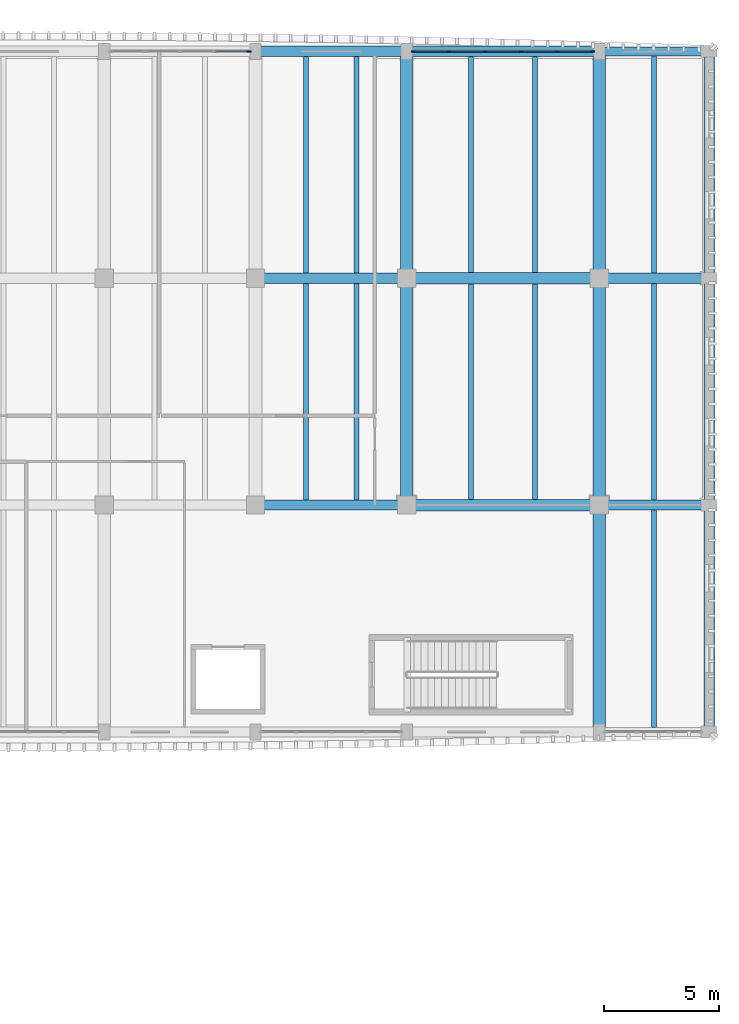
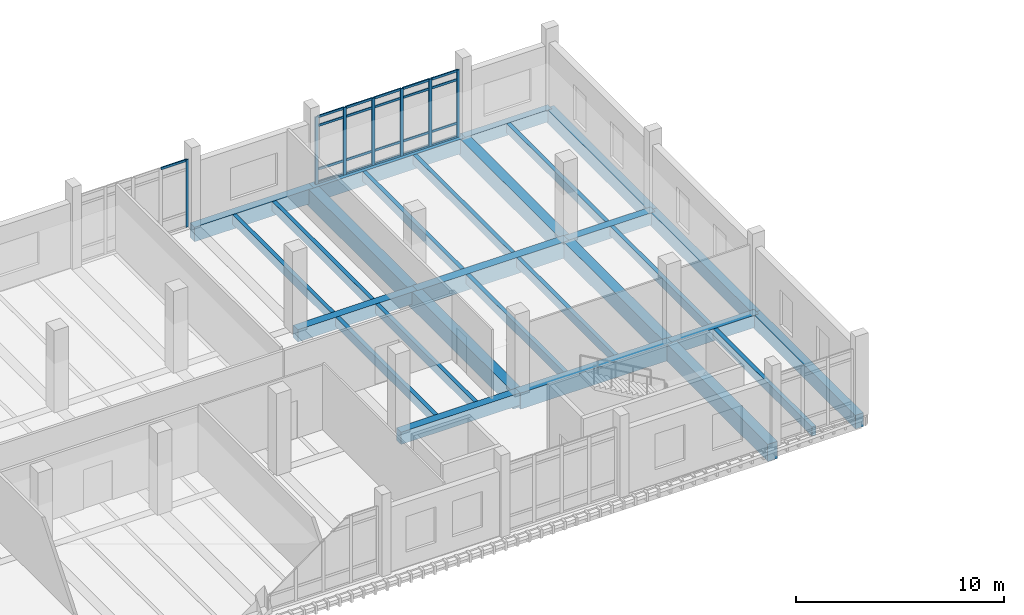
# One storey, part 45 of 101: 28 beams, 28 members, 2 elements without a shape of their own.
"""IFC4 building model written with IfcOpenShell, lengths in metres."""

import ifcopenshell
import ifcopenshell.guid

model = None  # the IFC model being written
_history = None  # IfcOwnerHistory: only IFC2X3 demands one
_inside = {}  # id of a spatial element -> (the spatial element, [elements in it])
_under = {}  # id of a project, library or spatial element -> (it, [spatial elements below it])
_declared = {}  # id of a project -> (the project, [libraries it declares])
_typed = {}  # id of a type object -> (the type object, [elements of that type])
_made_of = {}  # id of a material, layer set ... -> (it, [elements and type objects made of it])


def new_model(schema):
    """Start an empty IFC model of exactly this schema.

    Asked for "IFC4X3", IfcOpenShell would pick the latest addendum, in which some entities
    have other attributes; the version numbers below select the first issue.
    IFC2X3 requires an IfcOwnerHistory on every rooted entity: one is made here for all.
    """
    global model, _history
    if schema == "IFC4X3":
        model = ifcopenshell.file(schema_version=(4, 3, 0, 0))
    else:
        model = ifcopenshell.file(schema=schema)
    _inside.clear()
    _under.clear()
    _declared.clear()
    _typed.clear()
    _made_of.clear()
    _history = None
    if model.schema == "IFC2X3":
        org = make("IfcOrganization", Name="unknown")
        user = make(
            "IfcPersonAndOrganization",
            ThePerson=make("IfcPerson", FamilyName="unknown"),
            TheOrganization=org,
        )
        app = make(
            "IfcApplication",
            ApplicationDeveloper=org,
            Version="unknown",
            ApplicationFullName="unknown",
            ApplicationIdentifier="unknown",
        )
        _history = make(
            "IfcOwnerHistory",
            OwningUser=user,
            OwningApplication=app,
            ChangeAction="ADDED",
            CreationDate=0,
        )
    return model


def make(cls, **values):
    """One entity of the class cls with the attributes given. An attribute that is None is left unset."""
    return model.create_entity(
        cls, **{name: value for name, value in values.items() if value is not None}
    )


def rooted(cls, **values):
    """An entity with a GlobalId (a new one), such as an element, a storey or a relation."""
    return make(cls, GlobalId=ifcopenshell.guid.new(), OwnerHistory=_history, **values)


def si_unit(unit_type, name, prefix=None):
    """IfcSIUnit, for example si_unit("LENGTHUNIT", "METRE", prefix="MILLI")."""
    return make("IfcSIUnit", UnitType=unit_type, Prefix=prefix, Name=name)


def assignment(units):
    """IfcUnitAssignment: the units of a project."""
    return None if units is None else make("IfcUnitAssignment", Units=units)


def point(xyz):
    """IfcCartesianPoint."""
    return None if xyz is None else make("IfcCartesianPoint", Coordinates=xyz)


def direction(xyz):
    """IfcDirection."""
    return None if xyz is None else make("IfcDirection", DirectionRatios=xyz)


def frame(location, z_axis=None, x_axis=None):
    """IfcAxis2Placement3D, a coordinate frame: its origin and axes. An axis left out is left unset."""
    return make(
        "IfcAxis2Placement3D",
        Location=point(location),
        Axis=direction(z_axis),
        RefDirection=direction(x_axis),
    )


def frame_2d(location, x_axis=None):
    """IfcAxis2Placement2D, a coordinate frame in the plane: its origin and x axis."""
    return make(
        "IfcAxis2Placement2D", Location=point(location), RefDirection=direction(x_axis)
    )


def origin():
    """The frame at (0, 0, 0) with its axes left unset."""
    return frame((0.0, 0.0, 0.0))


def origin_2d():
    """The frame at (0, 0) in the plane with its x axis left unset."""
    return frame_2d((0.0, 0.0))


def place(relative_to, where):
    """IfcLocalPlacement: puts the frame where relative to a parent placement (None: the world)."""
    return make(
        "IfcLocalPlacement", PlacementRelTo=relative_to, RelativePlacement=where
    )


def context(
    kind, dimensions, precision=None, world=None, true_north=None, identifier=None
):
    """IfcGeometricRepresentationContext, for example the 3D "Model" context."""
    return make(
        "IfcGeometricRepresentationContext",
        ContextIdentifier=identifier,
        ContextType=kind,
        CoordinateSpaceDimension=dimensions,
        Precision=precision,
        WorldCoordinateSystem=world,
        TrueNorth=true_north,
    )


def subcontext(parent, identifier, kind, view, scale=None):
    """IfcGeometricRepresentationSubContext, for example "Body" below "Model"."""
    return make(
        "IfcGeometricRepresentationSubContext",
        ContextIdentifier=identifier,
        ContextType=kind,
        ParentContext=parent,
        TargetScale=scale,
        TargetView=view,
    )


def project(units=None, contexts=None):
    """IfcProject with its units and contexts."""
    return rooted(
        "IfcProject",
        Name="project",
        RepresentationContexts=contexts,
        UnitsInContext=assignment(units),
    )


def spatial(cls, under=None, at=None, **own):
    """A site, building, storey or space (cls), placed at a placement, below another one or the project."""
    s = rooted(cls, ObjectPlacement=at, **own)
    if under is not None:
        _under.setdefault(under.id(), (under, []))[1].append(s)
    return s


def profile(cls, at=None, kind="AREA", **sizes):
    """A parametric profile (cls). Its sizes go by their IFC names, for example OverallWidth=200.0."""
    return make(cls, ProfileType=kind, Position=at, **sizes)


def rectangle(**sizes):
    """IfcRectangleProfileDef."""
    return profile("IfcRectangleProfileDef", **sizes)


def extrude(swept, where, along, depth):
    """IfcExtrudedAreaSolid: the profile swept, set in the frame where, extruded along a direction by depth."""
    return make(
        "IfcExtrudedAreaSolid",
        SweptArea=swept,
        Position=where,
        ExtrudedDirection=direction(along),
        Depth=depth,
    )


def shape(context_of_items, identifier, shape_type, items):
    """IfcShapeRepresentation: the items that make up one representation, for example the "Body"."""
    return make(
        "IfcShapeRepresentation",
        ContextOfItems=context_of_items,
        RepresentationIdentifier=identifier,
        RepresentationType=shape_type,
        Items=items,
    )


def material(Name=None, Category=None):
    """IfcMaterial."""
    return make("IfcMaterial", Name=Name, Category=Category)


def material_profile(
    of_material, cross_section, Name=None, Category=None, Priority=None
):
    """IfcMaterialProfile: a cross section and its material."""
    return make(
        "IfcMaterialProfile",
        Name=Name,
        Material=of_material,
        Profile=cross_section,
        Priority=Priority,
        Category=Category,
    )


def profile_set(profiles, Name=None, composite=None):
    """IfcMaterialProfileSet."""
    return make(
        "IfcMaterialProfileSet",
        Name=Name,
        MaterialProfiles=profiles,
        CompositeProfile=composite,
    )


def made_of(thing, what):
    """Note that an element or type object is made of a material, layer set ...; save() writes the relation."""
    if what is not None:
        _made_of.setdefault(what.id(), (what, []))[1].append(thing)
    return thing


def type_object(cls, material=None, **own):
    """A type object (cls), such as IfcWallType, which elements share."""
    return made_of(rooted(cls, **own), material)


def element(
    cls,
    number,
    at=None,
    inside=None,
    cuts=None,
    type_object=None,
    material=None,
    context=None,
    identifier="Body",
    shape_type=None,
    held_by="IfcProductDefinitionShape",
    body=None,
    shapes=None,
    **own,
):
    """One element of the class cls, such as IfcWall. Its Tag is "e" and its number.

    at: its placement. inside: the storey or other place that contains it. cuts: it is an
    opening in that element (IfcRelVoidsElement). A single representation is given by context,
    identifier, shape_type and body (its items); several are given by shapes. held_by: the class
    of the entity that holds the representations. save() writes the other relations.
    """
    e = rooted(cls, Tag="e%d" % number, ObjectPlacement=at, **own)
    if body is not None:
        shapes = [shape(context, identifier, shape_type, body)]
    if shapes is not None:
        e.Representation = make(held_by, Representations=shapes)
    if inside is not None:
        _inside.setdefault(inside.id(), (inside, []))[1].append(e)
    if cuts is not None:
        rooted(
            "IfcRelVoidsElement", RelatingBuildingElement=cuts, RelatedOpeningElement=e
        )
    if type_object is not None:
        _typed.setdefault(type_object.id(), (type_object, []))[1].append(e)
    return made_of(e, material)


def aggregate(whole, parts):
    """IfcRelAggregates: a whole, such as a stair, and the parts it consists of."""
    return rooted("IfcRelAggregates", RelatingObject=whole, RelatedObjects=parts)


def save(model, path):
    """Write the relations noted so far, then the file.

    IfcRelAggregates (storeys below a building ...), IfcRelContainedInSpatialStructure (elements
    in a storey), IfcRelDefinesByType, IfcRelAssociatesMaterial and IfcRelDeclares: one each for
    every whole, place, type object, material and project.
    """
    for whole, parts in _under.values():
        aggregate(whole, parts)
    for where, things in _inside.values():
        rooted(
            "IfcRelContainedInSpatialStructure",
            RelatedElements=things,
            RelatingStructure=where,
        )
    for kind, things in _typed.values():
        rooted("IfcRelDefinesByType", RelatedObjects=things, RelatingType=kind)
    for what, things in _made_of.values():
        rooted("IfcRelAssociatesMaterial", RelatedObjects=things, RelatingMaterial=what)
    for by, libraries in _declared.values():
        rooted("IfcRelDeclares", RelatingContext=by, RelatedDefinitions=libraries)
    model.write(path)


model = new_model("IFC4")

# Units and contexts
model_context = context("Model", 3, precision=1e-05, world=origin(), true_north=direction((0.0, 1.0)))
body_context = subcontext(model_context, "Body", "Model", "MODEL_VIEW")
ifc_project = project(units=[si_unit("LENGTHUNIT", "METRE"), si_unit("AREAUNIT", "SQUARE_METRE"), si_unit("VOLUMEUNIT", "CUBIC_METRE"), si_unit("PLANEANGLEUNIT", "RADIAN"), si_unit("MASSUNIT", "GRAM", prefix="KILO")], contexts=[model_context])

# Site, building, storey
site_placement = place(None, origin())
site = spatial("IfcSite", under=ifc_project, at=site_placement, CompositionType="ELEMENT")
building_placement = place(site_placement, origin())
building = spatial("IfcBuilding", under=site, at=building_placement, Name="Dornvale Research Institute", CompositionType="ELEMENT")
storey_placement = place(building_placement, frame((0.0, 0.0, 10.199951171875)))
storey = spatial("IfcBuildingStorey", under=building, at=storey_placement, Name="L02", CompositionType="ELEMENT", Elevation=10.199951171875)

# Beams
ifc_material_1 = material(Name="Concrete f'c 45 MPa (C35/45)", Category="concrete")
ifc_material_profile_1 = material_profile(ifc_material_1, rectangle(XDim=0.449951171875, YDim=0.715087890625, at=origin_2d()), Name="RC 450x715")
ifc_profile_set_1 = profile_set([ifc_material_profile_1], Name="Concrete f'c 45 MPa (C35/45)")
beam_type_1 = type_object("IfcBeamType", Name="Beam_RC450x715_Lab", PredefinedType="BEAM", material=ifc_profile_set_1)
beam_1_placement = place(storey_placement, frame((158.39990234375, 102.300048828125, -0.357421875), z_axis=(1.0, 0.0, 0.0), x_axis=(0.0, 1.0, 0.0)))
element("IfcBeam", 1, at=beam_1_placement, inside=storey, type_object=beam_type_1, Name="L02 primary girder #650", PredefinedType="BEAM", context=body_context, shape_type="SweptSolid", body=[
    extrude(rectangle(XDim=0.449951171875, YDim=0.715087890625, at=origin_2d()), origin(), (0.0, 0.0, 1.0), 6.60009765625),
])
beam_2_placement = place(storey_placement, frame((173.39990234375, 102.300048828125, -0.357421875), z_axis=(1.0, 0.0, 0.0), x_axis=(0.0, 1.0, 0.0)))
element("IfcBeam", 2, at=beam_2_placement, inside=storey, type_object=beam_type_1, Name="L02 primary girder #652", PredefinedType="BEAM", context=body_context, shape_type="SweptSolid", body=[
    extrude(rectangle(XDim=0.449951171875, YDim=0.715087890625, at=origin_2d()), origin(), (0.0, 0.0, 1.0), 4.800048828125),
])
beam_3_placement = place(storey_placement, frame((158.39990234375, 112.199951171875, -0.357421875), z_axis=(1.0, 0.0, 0.0), x_axis=(0.0, 1.0, 0.0)))
element("IfcBeam", 3, at=beam_3_placement, inside=storey, type_object=beam_type_1, Name="L02 primary girder #659", PredefinedType="BEAM", context=body_context, shape_type="SweptSolid", body=[
    extrude(rectangle(XDim=0.449951171875, YDim=0.715087890625, at=origin_2d()), origin(), (0.0, 0.0, 1.0), 6.60009765625),
])
beam_4_placement = place(storey_placement, frame((173.39990234375, 112.199951171875, -0.357421875), z_axis=(1.0, 0.0, 0.0), x_axis=(0.0, 1.0, 0.0)))
element("IfcBeam", 4, at=beam_4_placement, inside=storey, type_object=beam_type_1, Name="L02 primary girder #661", PredefinedType="BEAM", context=body_context, shape_type="SweptSolid", body=[
    extrude(rectangle(XDim=0.449951171875, YDim=0.715087890625, at=origin_2d()), origin(), (0.0, 0.0, 1.0), 4.800048828125),
])
ifc_material_2 = material(Name="Concrete f'c 45 MPa (C35/45)", Category="concrete")
ifc_material_profile_2 = material_profile(ifc_material_2, rectangle(XDim=0.5, YDim=0.949951171875, at=origin_2d()), Name="RC 500x950")
ifc_profile_set_2 = profile_set([ifc_material_profile_2], Name="Concrete f'c 45 MPa (C35/45)")
beam_type_2 = type_object("IfcBeamType", Name="Beam_RC500x950_Girder", PredefinedType="BEAM", material=ifc_profile_set_2)
for number, where, z_axis, x_axis, name in (
    (5, (165.0, 102.300048828125, -0.474853515625), (1.0, 0.0, 0.0), (0.0, 1.0, 0.0), "L02 primary girder #651"),
    (6, (165.0, 112.199951171875, -0.474853515625), (1.0, 0.0, 0.0), (0.0, 1.0, 0.0), "L02 primary girder #660"),
):
    element("IfcBeam", number, at=place(storey_placement, frame(where, z_axis=z_axis, x_axis=x_axis)), inside=storey, type_object=beam_type_2, Name=name, PredefinedType="BEAM", context=body_context, shape_type="SweptSolid", body=[
        extrude(rectangle(XDim=0.5, YDim=0.949951171875, at=origin_2d()), origin(), (0.0, 0.0, 1.0), 8.39990234375),
    ])
ifc_material_3 = material(Name="Concrete f'c 45 MPa (C35/45)", Category="concrete")
ifc_material_profile_3 = material_profile(ifc_material_3, rectangle(XDim=0.550048828125, YDim=1.0, at=origin_2d()), Name="RC 550x1000")
ifc_profile_set_3 = profile_set([ifc_material_profile_3], Name="Concrete f'c 45 MPa (C35/45)")
beam_type_3 = type_object("IfcBeamType", Name="Beam_RC550x1000_Girder", PredefinedType="BEAM", material=ifc_profile_set_3)
beam_5_placement = place(storey_placement, frame((165.0, 102.300048828125, -0.5), z_axis=(0.0, 1.0, 0.0), x_axis=(-1.0, 0.0, 0.0)))
element("IfcBeam", 7, at=beam_5_placement, inside=storey, type_object=beam_type_3, Name="L02 transverse girder #690", PredefinedType="BEAM", context=body_context, shape_type="SweptSolid", body=[
    extrude(rectangle(XDim=0.550048828125, YDim=1.0, at=origin_2d()), origin(), (0.0, 0.0, 1.0), 9.89990234375),
])
for number, where, z_axis, x_axis, name in (
    (8, (165.0, 112.199951171875, -0.5), (0.0, 1.0, 0.0), (-1.0, 0.0, 0.0), "L02 transverse girder #691"),
    (9, (173.39990234375, 92.39990234375, -0.5), (0.0, 1.0, 0.0), (-1.0, 0.0, 0.0), "L02 transverse girder #692"),
):
    element("IfcBeam", number, at=place(storey_placement, frame(where, z_axis=z_axis, x_axis=x_axis)), inside=storey, type_object=beam_type_3, Name=name, PredefinedType="BEAM", context=body_context, shape_type="SweptSolid", body=[
        extrude(rectangle(XDim=0.550048828125, YDim=1.0, at=origin_2d()), origin(), (0.0, 0.0, 1.0), 9.900146484375),
    ])
beam_6_placement = place(storey_placement, frame((173.39990234375, 102.300048828125, -0.5), z_axis=(0.0, 1.0, 0.0), x_axis=(-1.0, 0.0, 0.0)))
element("IfcBeam", 10, at=beam_6_placement, inside=storey, type_object=beam_type_3, Name="L02 transverse girder #693", PredefinedType="BEAM", context=body_context, shape_type="SweptSolid", body=[
    extrude(rectangle(XDim=0.550048828125, YDim=1.0, at=origin_2d()), origin(), (0.0, 0.0, 1.0), 9.89990234375),
])
beam_7_placement = place(storey_placement, frame((173.39990234375, 112.199951171875, -0.5), z_axis=(0.0, 1.0, 0.0), x_axis=(-1.0, 0.0, 0.0)))
element("IfcBeam", 11, at=beam_7_placement, inside=storey, type_object=beam_type_3, Name="L02 transverse girder #694", PredefinedType="BEAM", context=body_context, shape_type="SweptSolid", body=[
    extrude(rectangle(XDim=0.550048828125, YDim=1.0, at=origin_2d()), origin(), (0.0, 0.0, 1.0), 9.900146484375),
])
ifc_material_4 = material(Name="Concrete f'c 45 MPa (C35/45)", Category="concrete")
ifc_material_profile_4 = material_profile(ifc_material_4, rectangle(XDim=0.219970703125, YDim=0.534912109375, at=origin_2d()), Name="RC 220x535")
ifc_profile_set_4 = profile_set([ifc_material_profile_4], Name="Concrete f'c 45 MPa (C35/45)")
beam_type_4 = type_object("IfcBeamType", Name="Joist_RC220x535_Waffle", PredefinedType="JOIST", material=ifc_profile_set_4)
for number, where, z_axis, x_axis, name in (
    (12, (160.60009765625, 102.52490234375, -0.267333984375), (0.0, 1.0, 0.0), (-1.0, 0.0, 0.0), "L02 laboratory waffle joist #342"),
    (13, (162.800048828125, 102.52490234375, -0.267333984375), (0.0, 1.0, 0.0), (-1.0, 0.0, 0.0), "L02 laboratory waffle joist #343"),
):
    element("IfcBeam", number, at=place(storey_placement, frame(where, z_axis=z_axis, x_axis=x_axis)), inside=storey, type_object=beam_type_4, Name=name, PredefinedType="JOIST", context=body_context, shape_type="SweptSolid", body=[
        extrude(rectangle(XDim=0.219970703125, YDim=0.534912109375, at=origin_2d()), origin(), (0.0, 0.0, 1.0), 9.4501953125),
    ])
for number, where, z_axis, x_axis, name in (
    (14, (160.60009765625, 112.425048828125, -0.267333984375), (0.0, 1.0, 0.0), (-1.0, 0.0, 0.0), "L02 laboratory waffle joist #344"),
    (15, (162.800048828125, 112.425048828125, -0.267333984375), (0.0, 1.0, 0.0), (-1.0, 0.0, 0.0), "L02 laboratory waffle joist #345"),
):
    element("IfcBeam", number, at=place(storey_placement, frame(where, z_axis=z_axis, x_axis=x_axis)), inside=storey, type_object=beam_type_4, Name=name, PredefinedType="JOIST", context=body_context, shape_type="SweptSolid", body=[
        extrude(rectangle(XDim=0.219970703125, YDim=0.534912109375, at=origin_2d()), origin(), (0.0, 0.0, 1.0), 9.449951171875),
    ])
for number, where, z_axis, x_axis, name in (
    (16, (167.800048828125, 102.550048828125, -0.267333984375), (0.0, 1.0, 0.0), (-1.0, 0.0, 0.0), "L02 laboratory waffle joist #346"),
    (17, (170.60009765625, 102.550048828125, -0.267333984375), (0.0, 1.0, 0.0), (-1.0, 0.0, 0.0), "L02 laboratory waffle joist #347"),
):
    element("IfcBeam", number, at=place(storey_placement, frame(where, z_axis=z_axis, x_axis=x_axis)), inside=storey, type_object=beam_type_4, Name=name, PredefinedType="JOIST", context=body_context, shape_type="SweptSolid", body=[
        extrude(rectangle(XDim=0.219970703125, YDim=0.534912109375, at=origin_2d()), origin(), (0.0, 0.0, 1.0), 9.39990234375),
    ])
for number, where, z_axis, x_axis, name in (
    (18, (167.800048828125, 112.449951171875, -0.267333984375), (0.0, 1.0, 0.0), (-1.0, 0.0, 0.0), "L02 laboratory waffle joist #348"),
    (19, (170.60009765625, 112.449951171875, -0.267333984375), (0.0, 1.0, 0.0), (-1.0, 0.0, 0.0), "L02 laboratory waffle joist #349"),
):
    element("IfcBeam", number, at=place(storey_placement, frame(where, z_axis=z_axis, x_axis=x_axis)), inside=storey, type_object=beam_type_4, Name=name, PredefinedType="JOIST", context=body_context, shape_type="SweptSolid", body=[
        extrude(rectangle(XDim=0.219970703125, YDim=0.534912109375, at=origin_2d()), origin(), (0.0, 0.0, 1.0), 9.425048828125),
    ])
beam_8_placement = place(storey_placement, frame((175.800048828125, 92.60009765625, -0.267333984375), z_axis=(0.0, 1.0, 0.0), x_axis=(-1.0, 0.0, 0.0)))
element("IfcBeam", 20, at=beam_8_placement, inside=storey, type_object=beam_type_4, Name="L02 laboratory waffle joist #350", PredefinedType="JOIST", context=body_context, shape_type="SweptSolid", body=[
    extrude(rectangle(XDim=0.219970703125, YDim=0.534912109375, at=origin_2d()), origin(), (0.0, 0.0, 1.0), 9.474853515625),
])
beam_9_placement = place(storey_placement, frame((175.800048828125, 102.52490234375, -0.267333984375), z_axis=(0.0, 1.0, 0.0), x_axis=(-1.0, 0.0, 0.0)))
element("IfcBeam", 21, at=beam_9_placement, inside=storey, type_object=beam_type_4, Name="L02 laboratory waffle joist #351", PredefinedType="JOIST", context=body_context, shape_type="SweptSolid", body=[
    extrude(rectangle(XDim=0.219970703125, YDim=0.534912109375, at=origin_2d()), origin(), (0.0, 0.0, 1.0), 9.4501953125),
])
beam_10_placement = place(storey_placement, frame((175.800048828125, 112.425048828125, -0.267333984375), z_axis=(0.0, 1.0, 0.0), x_axis=(-1.0, 0.0, 0.0)))
element("IfcBeam", 22, at=beam_10_placement, inside=storey, type_object=beam_type_4, Name="L02 laboratory waffle joist #352", PredefinedType="JOIST", context=body_context, shape_type="SweptSolid", body=[
    extrude(rectangle(XDim=0.219970703125, YDim=0.534912109375, at=origin_2d()), origin(), (0.0, 0.0, 1.0), 9.474853515625),
])

# Curtain wall, member
ifc_material_5 = material(Name="Low-E Argon Double Insulating Glazing Unit", Category="glass")
curtain_wall_type_1 = type_object("IfcCurtainWallType", Name="UnitisedCurtainWall_V4_6100x3950", PredefinedType="USERDEFINED", material=ifc_material_5)
curtain_wall_1_placement = place(storey_placement, origin())
curtain_wall_1 = element("IfcCurtainWall", 23, at=curtain_wall_1_placement, inside=storey, type_object=curtain_wall_type_1, Name="L02 V4 unitised curtain wall CW-11 #84", ObjectType="UNITISED CURTAIN WALL", PredefinedType="USERDEFINED")
ifc_material_6 = material(Name="Anodized Aluminum AA 6063-T6 Thermally Broken Frame", Category="aluminium")
ifc_material_profile_5 = material_profile(ifc_material_6, rectangle(XDim=0.06494140625, YDim=0.179931640625, at=origin_2d()), Name="ALU MULLION 65x180")
ifc_profile_set_5 = profile_set([ifc_material_profile_5], Name="Anodized Aluminum AA 6063-T6 Thermally Broken Frame")
member_type_1 = type_object("IfcMemberType", Name="Mullion_CW_65x180", PredefinedType="MULLION", material=ifc_profile_set_5)
member_1_placement = place(storey_placement, frame((158.117431640625, 122.10009765625, 0.0), z_axis=(0.0, 0.0, 1.0), x_axis=(0.0, 1.0, 0.0)))
member_1 = element("IfcMember", 24, at=member_1_placement, type_object=member_type_1, Name="CW-11 mullion 5", PredefinedType="MULLION", context=body_context, shape_type="SweptSolid", body=[
    extrude(rectangle(XDim=0.06494140625, YDim=0.179931640625, at=origin_2d()), origin(), (0.0, 0.0, 1.0), 3.949951171875),
])

# Curtain wall, members
ifc_material_7 = material(Name="Low-E Argon Double Insulating Glazing Unit", Category="glass")
curtain_wall_type_2 = type_object("IfcCurtainWallType", Name="UnitisedCurtainWall_V4_7900x3950", PredefinedType="USERDEFINED", material=ifc_material_7)
curtain_wall_2_placement = place(storey_placement, origin())
curtain_wall_2 = element("IfcCurtainWall", 25, at=curtain_wall_2_placement, inside=storey, type_object=curtain_wall_type_2, Name="L02 V4 unitised curtain wall CW-12 #85", ObjectType="UNITISED CURTAIN WALL", PredefinedType="USERDEFINED")
member_2_placement = place(storey_placement, frame((165.282470703125, 122.10009765625, 0.0), z_axis=(0.0, 0.0, 1.0), x_axis=(0.0, 1.0, 0.0)))
member_2 = element("IfcMember", 26, at=member_2_placement, type_object=member_type_1, Name="CW-12 mullion 1", PredefinedType="MULLION", context=body_context, shape_type="SweptSolid", body=[
    extrude(rectangle(XDim=0.06494140625, YDim=0.179931640625, at=origin_2d()), origin(), (0.0, 0.0, 1.0), 3.949951171875),
])
member_3_placement = place(storey_placement, frame((166.830078125, 122.10009765625, 0.0), z_axis=(0.0, 0.0, 1.0), x_axis=(0.0, 1.0, 0.0)))
member_3 = element("IfcMember", 27, at=member_3_placement, type_object=member_type_1, Name="CW-12 mullion 2", PredefinedType="MULLION", context=body_context, shape_type="SweptSolid", body=[
    extrude(rectangle(XDim=0.06494140625, YDim=0.179931640625, at=origin_2d()), origin(), (0.0, 0.0, 1.0), 3.949951171875),
])
member_4_placement = place(storey_placement, frame((168.409912109375, 122.10009765625, 0.0), z_axis=(0.0, 0.0, 1.0), x_axis=(0.0, 1.0, 0.0)))
member_4 = element("IfcMember", 28, at=member_4_placement, type_object=member_type_1, Name="CW-12 mullion 3", PredefinedType="MULLION", context=body_context, shape_type="SweptSolid", body=[
    extrude(rectangle(XDim=0.06494140625, YDim=0.179931640625, at=origin_2d()), origin(), (0.0, 0.0, 1.0), 3.949951171875),
])
member_5_placement = place(storey_placement, frame((169.989990234375, 122.10009765625, 0.0), z_axis=(0.0, 0.0, 1.0), x_axis=(0.0, 1.0, 0.0)))
member_5 = element("IfcMember", 29, at=member_5_placement, type_object=member_type_1, Name="CW-12 mullion 4", PredefinedType="MULLION", context=body_context, shape_type="SweptSolid", body=[
    extrude(rectangle(XDim=0.06494140625, YDim=0.179931640625, at=origin_2d()), origin(), (0.0, 0.0, 1.0), 3.949951171875),
])
member_6_placement = place(storey_placement, frame((171.570068359375, 122.10009765625, 0.0), z_axis=(0.0, 0.0, 1.0), x_axis=(0.0, 1.0, 0.0)))
member_6 = element("IfcMember", 30, at=member_6_placement, type_object=member_type_1, Name="CW-12 mullion 5", PredefinedType="MULLION", context=body_context, shape_type="SweptSolid", body=[
    extrude(rectangle(XDim=0.06494140625, YDim=0.179931640625, at=origin_2d()), origin(), (0.0, 0.0, 1.0), 3.949951171875),
])
member_7_placement = place(storey_placement, frame((173.117431640625, 122.10009765625, 0.0), z_axis=(0.0, 0.0, 1.0), x_axis=(0.0, 1.0, 0.0)))
member_7 = element("IfcMember", 31, at=member_7_placement, type_object=member_type_1, Name="CW-12 mullion 6", PredefinedType="MULLION", context=body_context, shape_type="SweptSolid", body=[
    extrude(rectangle(XDim=0.06494140625, YDim=0.179931640625, at=origin_2d()), origin(), (0.0, 0.0, 1.0), 3.949951171875),
])

# Beams
ifc_material_8 = material(Name="Concrete f'c 45 MPa (C35/45)", Category="concrete")
ifc_material_profile_6 = material_profile(ifc_material_8, rectangle(XDim=0.39990234375, YDim=0.699951171875, at=origin_2d()), Name="RC 400x700")
ifc_profile_set_6 = profile_set([ifc_material_profile_6], Name="Concrete f'c 45 MPa (C35/45)")
beam_type_5 = type_object("IfcBeamType", Name="Spandrel_RC400x700_Ext", PredefinedType="SPANDREL", material=ifc_profile_set_6)
beam_11_placement = place(storey_placement, frame((173.39990234375, 122.10009765625, -0.349853515625), z_axis=(1.0, 0.0, 0.0), x_axis=(0.0, 1.0, 0.0)))
element("IfcBeam", 32, at=beam_11_placement, inside=storey, type_object=beam_type_5, Name="L02 perimeter spandrel #670", PredefinedType="SPANDREL", context=body_context, shape_type="SweptSolid", body=[
    extrude(rectangle(XDim=0.39990234375, YDim=0.699951171875, at=origin_2d()), origin(), (0.0, 0.0, 1.0), 4.800048828125),
])
ifc_material_9 = material(Name="Concrete f'c 45 MPa (C35/45)", Category="concrete")
ifc_material_profile_7 = material_profile(ifc_material_9, rectangle(XDim=0.449951171875, YDim=0.800048828125, at=origin_2d()), Name="RC 450x800")
ifc_profile_set_7 = profile_set([ifc_material_profile_7], Name="Concrete f'c 45 MPa (C35/45)")
beam_type_6 = type_object("IfcBeamType", Name="Spandrel_RC450x800_Ext", PredefinedType="SPANDREL", material=ifc_profile_set_7)
beam_12_placement = place(storey_placement, frame((178.199951171875, 92.39990234375, -0.39990234375), z_axis=(0.0, 1.0, 0.0), x_axis=(-1.0, 0.0, 0.0)))
element("IfcBeam", 33, at=beam_12_placement, inside=storey, type_object=beam_type_6, Name="L02 perimeter spandrel #695", PredefinedType="SPANDREL", context=body_context, shape_type="SweptSolid", body=[
    extrude(rectangle(XDim=0.449951171875, YDim=0.800048828125, at=origin_2d()), origin(), (0.0, 0.0, 1.0), 9.900146484375),
])
beam_13_placement = place(storey_placement, frame((178.199951171875, 102.300048828125, -0.39990234375), z_axis=(0.0, 1.0, 0.0), x_axis=(-1.0, 0.0, 0.0)))
element("IfcBeam", 34, at=beam_13_placement, inside=storey, type_object=beam_type_6, Name="L02 perimeter spandrel #696", PredefinedType="SPANDREL", context=body_context, shape_type="SweptSolid", body=[
    extrude(rectangle(XDim=0.449951171875, YDim=0.800048828125, at=origin_2d()), origin(), (0.0, 0.0, 1.0), 9.89990234375),
])
beam_14_placement = place(storey_placement, frame((178.199951171875, 112.199951171875, -0.39990234375), z_axis=(0.0, 1.0, 0.0), x_axis=(-1.0, 0.0, 0.0)))
element("IfcBeam", 35, at=beam_14_placement, inside=storey, type_object=beam_type_6, Name="L02 perimeter spandrel #697", PredefinedType="SPANDREL", context=body_context, shape_type="SweptSolid", body=[
    extrude(rectangle(XDim=0.449951171875, YDim=0.800048828125, at=origin_2d()), origin(), (0.0, 0.0, 1.0), 9.900146484375),
])
ifc_material_10 = material(Name="Concrete f'c 45 MPa (C35/45)", Category="concrete")
ifc_material_profile_8 = material_profile(ifc_material_10, rectangle(XDim=0.449951171875, YDim=0.85009765625, at=origin_2d()), Name="RC 450x850")
ifc_profile_set_8 = profile_set([ifc_material_profile_8], Name="Concrete f'c 45 MPa (C35/45)")
beam_type_7 = type_object("IfcBeamType", Name="Spandrel_RC450x850_Ext", PredefinedType="SPANDREL", material=ifc_profile_set_8)
beam_15_placement = place(storey_placement, frame((158.39990234375, 122.10009765625, -0.425048828125), z_axis=(1.0, 0.0, 0.0), x_axis=(0.0, 1.0, 0.0)))
element("IfcBeam", 36, at=beam_15_placement, inside=storey, type_object=beam_type_7, Name="L02 perimeter spandrel #668", PredefinedType="SPANDREL", context=body_context, shape_type="SweptSolid", body=[
    extrude(rectangle(XDim=0.449951171875, YDim=0.85009765625, at=origin_2d()), origin(), (0.0, 0.0, 1.0), 6.60009765625),
])
beam_16_placement = place(storey_placement, frame((165.0, 122.10009765625, -0.425048828125), z_axis=(1.0, 0.0, 0.0), x_axis=(0.0, 1.0, 0.0)))
element("IfcBeam", 37, at=beam_16_placement, inside=storey, type_object=beam_type_7, Name="L02 perimeter spandrel #669", PredefinedType="SPANDREL", context=body_context, shape_type="SweptSolid", body=[
    extrude(rectangle(XDim=0.449951171875, YDim=0.85009765625, at=origin_2d()), origin(), (0.0, 0.0, 1.0), 8.39990234375),
])

# Member
ifc_material_11 = material(Name="Anodized Aluminum AA 6063-T6 Thermally Broken Frame", Category="aluminium")
ifc_material_profile_9 = material_profile(ifc_material_11, rectangle(XDim=0.06494140625, YDim=0.135009765625, at=origin_2d()), Name="ALU TRANSOM 65x135")
ifc_profile_set_9 = profile_set([ifc_material_profile_9], Name="Anodized Aluminum AA 6063-T6 Thermally Broken Frame")
member_type_2 = type_object("IfcMemberType", Name="Transom_CW_65x135", PredefinedType="USERDEFINED", material=ifc_profile_set_9)
member_8_placement = place(storey_placement, frame((156.657470703125, 122.10009765625, 3.91748046875), z_axis=(1.0, 0.0, 0.0), x_axis=(0.0, 1.0, 0.0)))
member_8 = element("IfcMember", 38, at=member_8_placement, type_object=member_type_2, Name="CW-11 transom 4.4", ObjectType="TRANSOM", PredefinedType="USERDEFINED", context=body_context, shape_type="SweptSolid", body=[
    extrude(rectangle(XDim=0.06494140625, YDim=0.135009765625, at=origin_2d()), origin(), (0.0, 0.0, 1.0), 1.427490234375),
])

aggregate(curtain_wall_1, [member_1, member_8])

member_9_placement = place(storey_placement, frame((165.31494140625, 122.10009765625, 0.032470703125), z_axis=(1.0, 0.0, 0.0), x_axis=(0.0, 1.0, 0.0)))
member_9 = element("IfcMember", 39, at=member_9_placement, type_object=member_type_2, Name="CW-12 transom 1.1", ObjectType="TRANSOM", PredefinedType="USERDEFINED", context=body_context, shape_type="SweptSolid", body=[
    extrude(rectangle(XDim=0.06494140625, YDim=0.135009765625, at=origin_2d()), origin(), (0.0, 0.0, 1.0), 1.482666015625),
])

member_10_placement = place(storey_placement, frame((165.31494140625, 122.10009765625, 0.85009765625), z_axis=(1.0, 0.0, 0.0), x_axis=(0.0, 1.0, 0.0)))
member_10 = element("IfcMember", 40, at=member_10_placement, type_object=member_type_2, Name="CW-12 transom 1.2", ObjectType="TRANSOM", PredefinedType="USERDEFINED", context=body_context, shape_type="SweptSolid", body=[
    extrude(rectangle(XDim=0.06494140625, YDim=0.135009765625, at=origin_2d()), origin(), (0.0, 0.0, 1.0), 1.482666015625),
])

member_11_placement = place(storey_placement, frame((165.31494140625, 122.10009765625, 3.400146484375), z_axis=(1.0, 0.0, 0.0), x_axis=(0.0, 1.0, 0.0)))
member_11 = element("IfcMember", 41, at=member_11_placement, type_object=member_type_2, Name="CW-12 transom 1.3", ObjectType="TRANSOM", PredefinedType="USERDEFINED", context=body_context, shape_type="SweptSolid", body=[
    extrude(rectangle(XDim=0.06494140625, YDim=0.135009765625, at=origin_2d()), origin(), (0.0, 0.0, 1.0), 1.482666015625),
])

member_12_placement = place(storey_placement, frame((165.31494140625, 122.10009765625, 3.91748046875), z_axis=(1.0, 0.0, 0.0), x_axis=(0.0, 1.0, 0.0)))
member_12 = element("IfcMember", 42, at=member_12_placement, type_object=member_type_2, Name="CW-12 transom 1.4", ObjectType="TRANSOM", PredefinedType="USERDEFINED", context=body_context, shape_type="SweptSolid", body=[
    extrude(rectangle(XDim=0.06494140625, YDim=0.135009765625, at=origin_2d()), origin(), (0.0, 0.0, 1.0), 1.482666015625),
])

member_13_placement = place(storey_placement, frame((166.862548828125, 122.10009765625, 0.032470703125), z_axis=(1.0, 0.0, 0.0), x_axis=(0.0, 1.0, 0.0)))
member_13 = element("IfcMember", 43, at=member_13_placement, type_object=member_type_2, Name="CW-12 transom 2.1", ObjectType="TRANSOM", PredefinedType="USERDEFINED", context=body_context, shape_type="SweptSolid", body=[
    extrude(rectangle(XDim=0.06494140625, YDim=0.135009765625, at=origin_2d()), origin(), (0.0, 0.0, 1.0), 1.514892578125),
])

member_14_placement = place(storey_placement, frame((166.862548828125, 122.10009765625, 0.85009765625), z_axis=(1.0, 0.0, 0.0), x_axis=(0.0, 1.0, 0.0)))
member_14 = element("IfcMember", 44, at=member_14_placement, type_object=member_type_2, Name="CW-12 transom 2.2", ObjectType="TRANSOM", PredefinedType="USERDEFINED", context=body_context, shape_type="SweptSolid", body=[
    extrude(rectangle(XDim=0.06494140625, YDim=0.135009765625, at=origin_2d()), origin(), (0.0, 0.0, 1.0), 1.514892578125),
])

member_15_placement = place(storey_placement, frame((166.862548828125, 122.10009765625, 3.400146484375), z_axis=(1.0, 0.0, 0.0), x_axis=(0.0, 1.0, 0.0)))
member_15 = element("IfcMember", 45, at=member_15_placement, type_object=member_type_2, Name="CW-12 transom 2.3", ObjectType="TRANSOM", PredefinedType="USERDEFINED", context=body_context, shape_type="SweptSolid", body=[
    extrude(rectangle(XDim=0.06494140625, YDim=0.135009765625, at=origin_2d()), origin(), (0.0, 0.0, 1.0), 1.514892578125),
])

member_16_placement = place(storey_placement, frame((166.862548828125, 122.10009765625, 3.91748046875), z_axis=(1.0, 0.0, 0.0), x_axis=(0.0, 1.0, 0.0)))
member_16 = element("IfcMember", 46, at=member_16_placement, type_object=member_type_2, Name="CW-12 transom 2.4", ObjectType="TRANSOM", PredefinedType="USERDEFINED", context=body_context, shape_type="SweptSolid", body=[
    extrude(rectangle(XDim=0.06494140625, YDim=0.135009765625, at=origin_2d()), origin(), (0.0, 0.0, 1.0), 1.514892578125),
])

member_17_placement = place(storey_placement, frame((168.4423828125, 122.10009765625, 0.032470703125), z_axis=(1.0, 0.0, 0.0), x_axis=(0.0, 1.0, 0.0)))
member_17 = element("IfcMember", 47, at=member_17_placement, type_object=member_type_2, Name="CW-12 transom 3.1", ObjectType="TRANSOM", PredefinedType="USERDEFINED", context=body_context, shape_type="SweptSolid", body=[
    extrude(rectangle(XDim=0.06494140625, YDim=0.135009765625, at=origin_2d()), origin(), (0.0, 0.0, 1.0), 1.51513671875),
])

member_18_placement = place(storey_placement, frame((168.4423828125, 122.10009765625, 0.85009765625), z_axis=(1.0, 0.0, 0.0), x_axis=(0.0, 1.0, 0.0)))
member_18 = element("IfcMember", 48, at=member_18_placement, type_object=member_type_2, Name="CW-12 transom 3.2", ObjectType="TRANSOM", PredefinedType="USERDEFINED", context=body_context, shape_type="SweptSolid", body=[
    extrude(rectangle(XDim=0.06494140625, YDim=0.135009765625, at=origin_2d()), origin(), (0.0, 0.0, 1.0), 1.51513671875),
])

member_19_placement = place(storey_placement, frame((168.4423828125, 122.10009765625, 3.400146484375), z_axis=(1.0, 0.0, 0.0), x_axis=(0.0, 1.0, 0.0)))
member_19 = element("IfcMember", 49, at=member_19_placement, type_object=member_type_2, Name="CW-12 transom 3.3", ObjectType="TRANSOM", PredefinedType="USERDEFINED", context=body_context, shape_type="SweptSolid", body=[
    extrude(rectangle(XDim=0.06494140625, YDim=0.135009765625, at=origin_2d()), origin(), (0.0, 0.0, 1.0), 1.51513671875),
])

member_20_placement = place(storey_placement, frame((168.4423828125, 122.10009765625, 3.91748046875), z_axis=(1.0, 0.0, 0.0), x_axis=(0.0, 1.0, 0.0)))
member_20 = element("IfcMember", 50, at=member_20_placement, type_object=member_type_2, Name="CW-12 transom 3.4", ObjectType="TRANSOM", PredefinedType="USERDEFINED", context=body_context, shape_type="SweptSolid", body=[
    extrude(rectangle(XDim=0.06494140625, YDim=0.135009765625, at=origin_2d()), origin(), (0.0, 0.0, 1.0), 1.51513671875),
])

member_21_placement = place(storey_placement, frame((170.0224609375, 122.10009765625, 0.032470703125), z_axis=(1.0, 0.0, 0.0), x_axis=(0.0, 1.0, 0.0)))
member_21 = element("IfcMember", 51, at=member_21_placement, type_object=member_type_2, Name="CW-12 transom 4.1", ObjectType="TRANSOM", PredefinedType="USERDEFINED", context=body_context, shape_type="SweptSolid", body=[
    extrude(rectangle(XDim=0.06494140625, YDim=0.135009765625, at=origin_2d()), origin(), (0.0, 0.0, 1.0), 1.51513671875),
])

member_22_placement = place(storey_placement, frame((170.0224609375, 122.10009765625, 0.85009765625), z_axis=(1.0, 0.0, 0.0), x_axis=(0.0, 1.0, 0.0)))
member_22 = element("IfcMember", 52, at=member_22_placement, type_object=member_type_2, Name="CW-12 transom 4.2", ObjectType="TRANSOM", PredefinedType="USERDEFINED", context=body_context, shape_type="SweptSolid", body=[
    extrude(rectangle(XDim=0.06494140625, YDim=0.135009765625, at=origin_2d()), origin(), (0.0, 0.0, 1.0), 1.51513671875),
])

member_23_placement = place(storey_placement, frame((170.0224609375, 122.10009765625, 3.400146484375), z_axis=(1.0, 0.0, 0.0), x_axis=(0.0, 1.0, 0.0)))
member_23 = element("IfcMember", 53, at=member_23_placement, type_object=member_type_2, Name="CW-12 transom 4.3", ObjectType="TRANSOM", PredefinedType="USERDEFINED", context=body_context, shape_type="SweptSolid", body=[
    extrude(rectangle(XDim=0.06494140625, YDim=0.135009765625, at=origin_2d()), origin(), (0.0, 0.0, 1.0), 1.51513671875),
])

member_24_placement = place(storey_placement, frame((170.0224609375, 122.10009765625, 3.91748046875), z_axis=(1.0, 0.0, 0.0), x_axis=(0.0, 1.0, 0.0)))
member_24 = element("IfcMember", 54, at=member_24_placement, type_object=member_type_2, Name="CW-12 transom 4.4", ObjectType="TRANSOM", PredefinedType="USERDEFINED", context=body_context, shape_type="SweptSolid", body=[
    extrude(rectangle(XDim=0.06494140625, YDim=0.135009765625, at=origin_2d()), origin(), (0.0, 0.0, 1.0), 1.51513671875),
])

member_25_placement = place(storey_placement, frame((171.6025390625, 122.10009765625, 0.032470703125), z_axis=(1.0, 0.0, 0.0), x_axis=(0.0, 1.0, 0.0)))
member_25 = element("IfcMember", 55, at=member_25_placement, type_object=member_type_2, Name="CW-12 transom 5.1", ObjectType="TRANSOM", PredefinedType="USERDEFINED", context=body_context, shape_type="SweptSolid", body=[
    extrude(rectangle(XDim=0.06494140625, YDim=0.135009765625, at=origin_2d()), origin(), (0.0, 0.0, 1.0), 1.482421875),
])

member_26_placement = place(storey_placement, frame((171.6025390625, 122.10009765625, 0.85009765625), z_axis=(1.0, 0.0, 0.0), x_axis=(0.0, 1.0, 0.0)))
member_26 = element("IfcMember", 56, at=member_26_placement, type_object=member_type_2, Name="CW-12 transom 5.2", ObjectType="TRANSOM", PredefinedType="USERDEFINED", context=body_context, shape_type="SweptSolid", body=[
    extrude(rectangle(XDim=0.06494140625, YDim=0.135009765625, at=origin_2d()), origin(), (0.0, 0.0, 1.0), 1.482421875),
])

member_27_placement = place(storey_placement, frame((171.6025390625, 122.10009765625, 3.400146484375), z_axis=(1.0, 0.0, 0.0), x_axis=(0.0, 1.0, 0.0)))
member_27 = element("IfcMember", 57, at=member_27_placement, type_object=member_type_2, Name="CW-12 transom 5.3", ObjectType="TRANSOM", PredefinedType="USERDEFINED", context=body_context, shape_type="SweptSolid", body=[
    extrude(rectangle(XDim=0.06494140625, YDim=0.135009765625, at=origin_2d()), origin(), (0.0, 0.0, 1.0), 1.482421875),
])

member_28_placement = place(storey_placement, frame((171.6025390625, 122.10009765625, 3.91748046875), z_axis=(1.0, 0.0, 0.0), x_axis=(0.0, 1.0, 0.0)))
member_28 = element("IfcMember", 58, at=member_28_placement, type_object=member_type_2, Name="CW-12 transom 5.4", ObjectType="TRANSOM", PredefinedType="USERDEFINED", context=body_context, shape_type="SweptSolid", body=[
    extrude(rectangle(XDim=0.06494140625, YDim=0.135009765625, at=origin_2d()), origin(), (0.0, 0.0, 1.0), 1.482421875),
])

aggregate(curtain_wall_2, [member_2, member_3, member_4, member_5, member_6, member_7, member_9, member_10, member_11, member_12, member_13, member_14, member_15, member_16, member_17, member_18, member_19, member_20, member_21, member_22, member_23, member_24, member_25, member_26, member_27, member_28])

save(model, "model.ifc")
